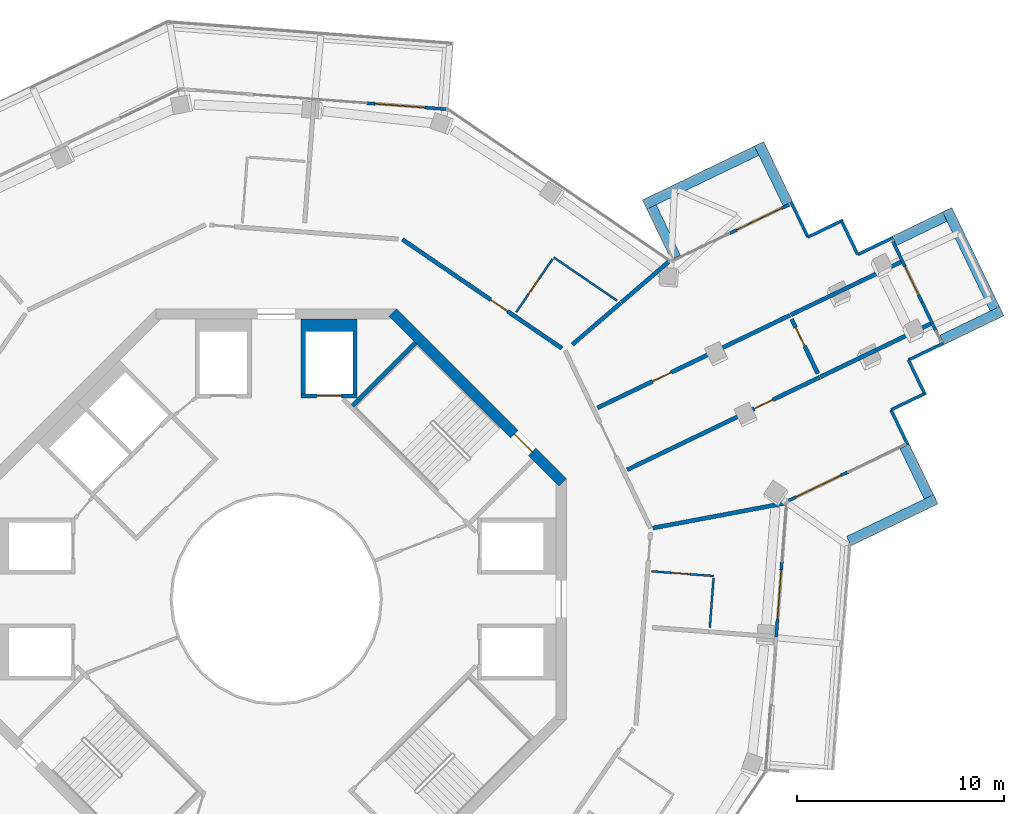
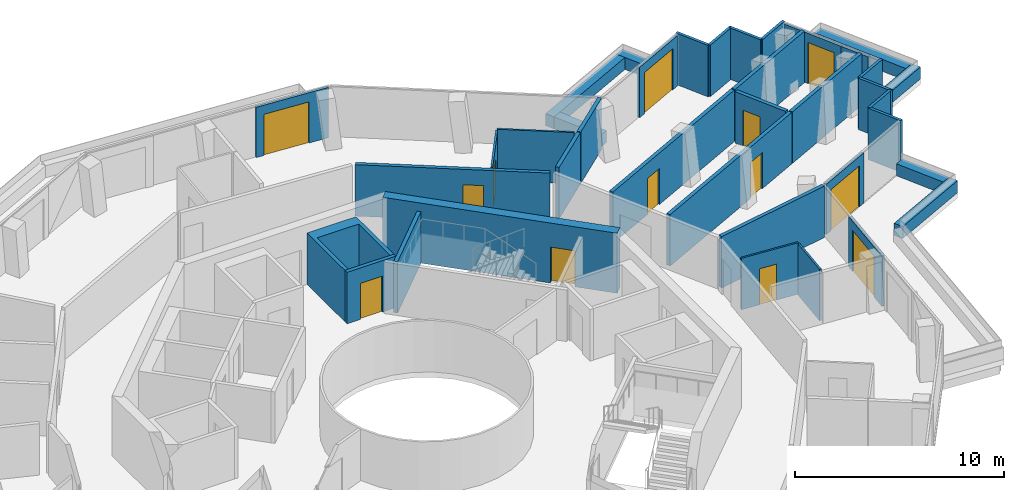
# One storey, part 19 of 23: 39 walls, 13 doors, 13 openings.
"""IFC4 building model written with IfcOpenShell, lengths in metres."""

from ifc_helpers import new_model, si_unit, direction, frame, frame_2d, origin, place, context, subcontext, project, spatial, polyline, rectangle, outline, extrude, material, layer, layer_set, type_object, element, fill, save


model = new_model("IFC4")

# Units and contexts
model_context = context("Model", 3, precision=1e-05, world=origin(), true_north=direction((0.0, 1.0)))
body_context = subcontext(model_context, "Body", "Model", "MODEL_VIEW")
ifc_project = project(units=[si_unit("LENGTHUNIT", "METRE"), si_unit("AREAUNIT", "SQUARE_METRE"), si_unit("VOLUMEUNIT", "CUBIC_METRE"), si_unit("PLANEANGLEUNIT", "RADIAN"), si_unit("MASSUNIT", "GRAM", prefix="KILO")], contexts=[model_context])

# Site, building, storey
site_placement = place(None, origin())
site = spatial("IfcSite", under=ifc_project, at=site_placement, CompositionType="ELEMENT")
building_placement = place(site_placement, origin())
building = spatial("IfcBuilding", under=site, at=building_placement, Name="Verdalira Terraces Hotel", CompositionType="ELEMENT")
storey_placement = place(building_placement, frame((0.0, 0.0, 259.5)))
storey = spatial("IfcBuildingStorey", under=building, at=storey_placement, Name="L64", CompositionType="ELEMENT", Elevation=259.5)

# Walls
ifc_material_1 = material(Name="Concrete C40", Category="concrete")
ifc_layer_1 = layer(ifc_material_1, 0.5)
ifc_layer_set_1 = layer_set([ifc_layer_1], Name="Balcony planter trough with tree")
wall_type_1 = type_object("IfcWallType", Name="Balcony planter trough with tree", PredefinedType="SOLIDWALL", material=ifc_layer_set_1)
wall_1_placement = place(storey_placement, frame((27.622559, 2.796143, 0.0), z_axis=(0.0, 0.0, 1.0), x_axis=(0.901216558, 0.433369029, 0.0)))
element("IfcWall", 1, at=wall_1_placement, inside=storey, type_object=wall_type_1, Name="Balcony planter", PredefinedType="SOLIDWALL", context=body_context, shape_type="SweptSolid", body=[
    extrude(rectangle(XDim=4.6521, YDim=0.5, at=frame_2d((2.326172, 0.0))), origin(), (0.0, 0.0, 1.0), 0.699951),
])
wall_2_placement = place(storey_placement, frame((31.481689, 4.929199, 0.0), z_axis=(0.0, 0.0, 1.0), x_axis=(-0.433374971, 0.901213701, 0.0)))
element("IfcWall", 2, at=wall_2_placement, inside=storey, type_object=wall_type_1, Name="Balcony planter", PredefinedType="SOLIDWALL", context=body_context, shape_type="SweptSolid", body=[
    extrude(rectangle(XDim=2.698975, YDim=0.5, at=frame_2d((1.349609, 0.0))), origin(), (0.0, 0.0, 1.0), 0.699951),
])
wall_3_placement = place(storey_placement, frame((32.11377, 12.500977, 0.0), z_axis=(0.0, 0.0, 1.0), x_axis=(0.901204851, 0.433393374, 0.0)))
element("IfcWall", 3, at=wall_3_placement, inside=storey, type_object=wall_type_1, Name="Balcony planter", PredefinedType="SOLIDWALL", context=body_context, shape_type="SweptSolid", body=[
    extrude(rectangle(XDim=3.199219, YDim=0.5, at=frame_2d((1.599609, 0.0))), origin(), (0.0, 0.0, 1.0), 0.699951),
])
wall_4_placement = place(storey_placement, frame((34.663086, 14.004395, 0.0), z_axis=(0.0, 0.0, 1.0), x_axis=(-0.433340486, 0.901230283, 0.0)))
element("IfcWall", 4, at=wall_4_placement, inside=storey, type_object=wall_type_1, Name="Balcony planter", PredefinedType="SOLIDWALL", context=body_context, shape_type="SweptSolid", body=[
    extrude(rectangle(XDim=5.299805, YDim=0.5, at=frame_2d((2.649902, 0.0))), origin(), (0.0, 0.0, 1.0), 0.699951),
])
wall_5_placement = place(storey_placement, frame((32.249512, 18.447266, 0.0), z_axis=(0.0, 0.0, 1.0), x_axis=(-0.901213701, -0.433374971, 0.0)))
element("IfcWall", 5, at=wall_5_placement, inside=storey, type_object=wall_type_1, Name="Balcony planter", PredefinedType="SOLIDWALL", context=body_context, shape_type="SweptSolid", body=[
    extrude(rectangle(XDim=2.698975, YDim=0.5, at=frame_2d((1.349609, 0.0))), origin(), (0.0, 0.0, 1.0), 0.699951),
])
wall_6_placement = place(storey_placement, frame((24.677734, 19.079346, 0.0), z_axis=(0.0, 0.0, 1.0), x_axis=(-0.433393374, 0.901204851, 0.0)))
element("IfcWall", 6, at=wall_6_placement, inside=storey, type_object=wall_type_1, Name="Balcony planter", PredefinedType="SOLIDWALL", context=body_context, shape_type="SweptSolid", body=[
    extrude(rectangle(XDim=3.199219, YDim=0.5, at=frame_2d((1.599609, 0.0))), origin(), (0.0, 0.0, 1.0), 0.699951),
])
wall_7_placement = place(storey_placement, frame((23.174316, 21.628906, 0.0), z_axis=(0.0, 0.0, 1.0), x_axis=(-0.901221864, -0.433357994, 0.0)))
element("IfcWall", 7, at=wall_7_placement, inside=storey, type_object=wall_type_1, Name="Balcony planter", PredefinedType="SOLIDWALL", context=body_context, shape_type="SweptSolid", body=[
    extrude(rectangle(XDim=6.0, YDim=0.5, at=frame_2d((3.0, 0.0))), origin(), (0.0, 0.0, 1.0), 0.699951),
])
wall_8_placement = place(storey_placement, frame((18.10083, 18.911865, 0.0), z_axis=(0.0, 0.0, 1.0), x_axis=(0.433374971, -0.901213701, 0.0)))
element("IfcWall", 8, at=wall_8_placement, inside=storey, type_object=wall_type_1, Name="Balcony planter", PredefinedType="SOLIDWALL", context=body_context, shape_type="SweptSolid", body=[
    extrude(rectangle(XDim=2.698975, YDim=0.5, at=frame_2d((1.349609, 0.0))), origin(), (0.0, 0.0, 1.0), 0.699951),
])

# Wall, opening, door
ifc_material_2 = material(Name="Moisture-resistant gypsum board partition")
ifc_layer_2 = layer(ifc_material_2, 0.10009765625)
ifc_layer_set_2 = layer_set([ifc_layer_2], Name="Bathroom partition 100 mm")
wall_type_2 = type_object("IfcWallType", Name="Bathroom partition 100 mm", PredefinedType="PARTITIONING", material=ifc_layer_set_2)
wall_9_placement = place(storey_placement, frame((13.325195, 16.400635, 0.0), z_axis=(0.0, 0.0, 1.0), x_axis=(-0.563808375, -0.825905634, 0.0)))
wall_9 = element("IfcWall", 9, at=wall_9_placement, inside=storey, type_object=wall_type_2, Name="Bathroom partition", PredefinedType="PARTITIONING", context=body_context, shape_type="SweptSolid", body=[
    extrude(rectangle(XDim=3.100098, YDim=0.100098, at=frame_2d((1.550049, 0.0))), origin(), (0.0, 0.0, 1.0), 3.0),
])
opening_1_placement = place(wall_9_placement, frame((1.149902, 0.0, 0.0)))
opening_1 = element("IfcOpeningElement", 10, at=opening_1_placement, cuts=wall_9, Name="Opening L64-126", PredefinedType="OPENING", context=body_context, shape_type="SweptSolid", body=[
    extrude(rectangle(XDim=0.899902, YDim=2.100098, at=frame_2d((0.449951, 1.050049))), frame((0.0, 0.060059, 0.0), z_axis=(0.0, -1.0, 0.0), x_axis=(1.0, 0.0, 0.0)), (0.0, 0.0, 1.0), 0.120117),
])
ifc_material_3 = material(Name="Timber door", Category="wood")
door_type_1 = type_object("IfcDoorType", Name="Bathroom door 900 x 2100", OperationType="NOTDEFINED", PredefinedType="DOOR", material=ifc_material_3)
door_1_placement = place(opening_1_placement, origin())
door_1 = element("IfcDoor", 11, at=door_1_placement, inside=storey, type_object=door_type_1, Name="Bathroom door 6411", OperationType="SINGLE_SWING_LEFT", OverallHeight=2.10009765625, OverallWidth=0.89990234375, PredefinedType="DOOR", context=body_context, shape_type="SweptSolid", body=[
    extrude(rectangle(XDim=0.899902, YDim=2.100098, at=frame_2d((0.449951, 1.050049))), frame((0.0, 0.024902, 0.0), z_axis=(0.0, -1.0, 0.0), x_axis=(1.0, 0.0, 0.0)), (0.0, 0.0, 1.0), 0.050049),
])
fill(opening_1, door_1)

# Wall
wall_10_placement = place(storey_placement, frame((13.381592, 16.483398, 0.0), z_axis=(0.0, 0.0, 1.0), x_axis=(0.825895308, -0.563823501, 0.0)))
element("IfcWall", 12, at=wall_10_placement, inside=storey, type_object=wall_type_2, Name="Bathroom partition", PredefinedType="PARTITIONING", context=body_context, shape_type="SweptSolid", body=[
    extrude(rectangle(XDim=3.703857, YDim=0.100098, at=frame_2d((1.852051, 0.0))), origin(), (0.0, 0.0, 1.0), 3.0),
])

# Wall, opening, door
wall_11_placement = place(storey_placement, frame((21.102295, 1.113525, 0.0), z_axis=(0.0, 0.0, 1.0), x_axis=(-0.997156972, 0.075352322, 0.0)))
wall_11 = element("IfcWall", 13, at=wall_11_placement, inside=storey, type_object=wall_type_2, Name="Bathroom partition", PredefinedType="PARTITIONING", context=body_context, shape_type="SweptSolid", body=[
    extrude(rectangle(XDim=3.000244, YDim=0.100098, at=frame_2d((1.5, 0.0))), origin(), (0.0, 0.0, 1.0), 3.0),
])
opening_2_placement = place(wall_11_placement, frame((1.149902, 0.0, 0.0)))
opening_2 = element("IfcOpeningElement", 14, at=opening_2_placement, cuts=wall_11, Name="Opening L64-120", PredefinedType="OPENING", context=body_context, shape_type="SweptSolid", body=[
    extrude(rectangle(XDim=0.899902, YDim=2.100098, at=frame_2d((0.449951, 1.050049))), frame((0.0, 0.060059, 0.0), z_axis=(0.0, -1.0, 0.0), x_axis=(1.0, 0.0, 0.0)), (0.0, 0.0, 1.0), 0.120117),
])
door_2_placement = place(opening_2_placement, origin())
door_2 = element("IfcDoor", 15, at=door_2_placement, inside=storey, type_object=door_type_1, Name="Bathroom door 6409", OperationType="SINGLE_SWING_LEFT", OverallHeight=2.10009765625, OverallWidth=0.89990234375, PredefinedType="DOOR", context=body_context, shape_type="SweptSolid", body=[
    extrude(rectangle(XDim=0.899902, YDim=2.100098, at=frame_2d((0.449951, 1.050049))), frame((0.0, 0.024902, 0.0), z_axis=(0.0, -1.0, 0.0), x_axis=(1.0, 0.0, 0.0)), (0.0, 0.0, 1.0), 0.050049),
])
fill(opening_2, door_2)

# Walls
wall_12_placement = place(storey_placement, frame((21.094482, 1.013916, 0.0), z_axis=(0.0, 0.0, 1.0), x_axis=(-0.075272936, -0.997162968, 0.0)))
element("IfcWall", 16, at=wall_12_placement, inside=storey, type_object=wall_type_2, Name="Bathroom partition", PredefinedType="PARTITIONING", context=body_context, shape_type="SweptSolid", body=[
    extrude(rectangle(XDim=2.400146, YDim=0.100098, at=frame_2d((1.200195, 0.0))), origin(), (0.0, 0.0, 1.0), 3.0),
])
ifc_material_4 = material(Name="Concrete C50", Category="concrete")
ifc_layer_3 = layer(ifc_material_4, 0.199951171875)
ifc_layer_set_3 = layer_set([ifc_layer_3], Name="Core RC wall 200 C50")
wall_type_3 = type_object("IfcWallType", Name="Core RC wall 200 C50", PredefinedType="SOLIDWALL", material=ifc_layer_set_3)
wall_13_placement = place(storey_placement, origin())
element("IfcWall", 17, at=wall_13_placement, inside=storey, type_object=wall_type_3, Name="L64 shaft wall N1", PredefinedType="SOLIDWALL", context=body_context, shape_type="SweptSolid", body=[
    extrude(outline(polyline([(3.899902, 9.899902), (3.699951, 9.899902), (3.699951, 12.899902), (1.399902, 12.899902), (1.399902, 9.899902), (1.199951, 9.899902), (1.199951, 13.5), (3.899902, 13.5), (3.899902, 9.899902)])), origin(), (0.0, 0.0, 1.0), 3.0),
])

# Wall, opening, door
wall_14_placement = place(storey_placement, frame((1.199951, 9.800049, 0.0), z_axis=(0.0, 0.0, 1.0), x_axis=(1.0, 0.0, 0.0)))
wall_14 = element("IfcWall", 18, at=wall_14_placement, inside=storey, type_object=wall_type_3, Name="L64 shaft front wall N1", PredefinedType="SOLIDWALL", context=body_context, shape_type="SweptSolid", body=[
    extrude(rectangle(XDim=2.699951, YDim=0.199951, at=frame_2d((1.350098, 0.0))), origin(), (0.0, 0.0, 1.0), 3.0),
])
opening_3_placement = place(wall_14_placement, frame((0.75, 0.0, 0.0)))
opening_3 = element("IfcOpeningElement", 19, at=opening_3_placement, cuts=wall_14, Name="Opening LD-L64-804", PredefinedType="OPENING", context=body_context, shape_type="SweptSolid", body=[
    extrude(rectangle(XDim=1.199951, YDim=2.100098, at=frame_2d((0.600098, 1.050049))), frame((0.0, 0.109863, 0.0), z_axis=(0.0, -1.0, 0.0), x_axis=(1.0, 0.0, 0.0)), (0.0, 0.0, 1.0), 0.219971),
])
ifc_material_5 = material(Name="Stainless steel", Category="steel")
door_type_2 = type_object("IfcDoorType", Name="Landing door 1200 x 2100", OperationType="NOTDEFINED", PredefinedType="DOOR", material=ifc_material_5)
door_3_placement = place(opening_3_placement, origin())
door_3 = element("IfcDoor", 20, at=door_3_placement, inside=storey, type_object=door_type_2, Name="Lift landing door HR3 L64", OperationType="DOUBLE_DOOR_SLIDING", OverallHeight=2.10009765625, OverallWidth=1.199951171875, PredefinedType="DOOR", context=body_context, shape_type="SweptSolid", body=[
    extrude(rectangle(XDim=1.199951, YDim=2.100098, at=frame_2d((0.600098, 1.050049))), frame((0.0, 0.024902, 0.0), z_axis=(0.0, -1.0, 0.0), x_axis=(1.0, 0.0, 0.0)), (0.0, 0.0, 1.0), 0.050049),
])
fill(opening_3, door_3)

# Wall
wall_15_placement = place(storey_placement, frame((3.677002, 9.33374, 0.0), z_axis=(0.0, 0.0, 1.0), x_axis=(0.707078393, 0.707135168, 0.0)))
element("IfcWall", 21, at=wall_15_placement, inside=storey, type_object=wall_type_3, Name="L64 stair ST1 end wall 2", PredefinedType="SOLIDWALL", context=body_context, shape_type="SweptSolid", body=[
    extrude(rectangle(XDim=4.300049, YDim=0.199951, at=frame_2d((2.149902, 0.0))), origin(), (0.0, 0.0, 1.0), 3.0),
])

# Wall, opening, door
ifc_material_6 = material(Name="Concrete C50", Category="concrete")
ifc_layer_4 = layer(ifc_material_6, 0.5)
ifc_layer_set_4 = layer_set([ifc_layer_4], Name="Core wall 500 C50")
wall_type_4 = type_object("IfcWallType", Name="Core wall 500 C50", PredefinedType="SHEAR", material=ifc_layer_set_4)
wall_16_placement = place(storey_placement, frame((13.823242, 5.622314, 0.0), z_axis=(0.0, 0.0, 1.0), x_axis=(-0.707106781, 0.707106781, 0.0)))
wall_16 = element("IfcWall", 22, at=wall_16_placement, inside=storey, type_object=wall_type_4, Name="Core wall CW-L64-2", PredefinedType="SHEAR", context=body_context, shape_type="SweptSolid", body=[
    extrude(rectangle(XDim=11.5979, YDim=0.5, at=frame_2d((5.798828, 0.0))), origin(), (0.0, 0.0, 1.0), 3.5),
])
opening_4_placement = place(wall_16_placement, frame((2.099121, 0.0, 0.0)))
opening_4 = element("IfcOpeningElement", 23, at=opening_4_placement, cuts=wall_16, Name="Opening L64-816", PredefinedType="OPENING", context=body_context, shape_type="SweptSolid", body=[
    extrude(rectangle(XDim=1.199951, YDim=2.100098, at=frame_2d((0.600098, 1.050049))), frame((0.0, 0.26001, 0.0), z_axis=(0.0, -1.0, 0.0), x_axis=(1.0, 0.0, 0.0)), (0.0, 0.0, 1.0), 0.52002),
])
ifc_material_7 = material(Name="Steel fire door", Category="steel")
door_type_3 = type_object("IfcDoorType", Name="Stair door 1200 x 2100", OperationType="NOTDEFINED", PredefinedType="DOOR", material=ifc_material_7)
door_4_placement = place(opening_4_placement, origin())
door_4 = element("IfcDoor", 24, at=door_4_placement, inside=storey, type_object=door_type_3, Name="Stair exit door ST1 L64", OperationType="SINGLE_SWING_LEFT", OverallHeight=2.10009765625, OverallWidth=1.199951171875, PredefinedType="DOOR", context=body_context, shape_type="SweptSolid", body=[
    extrude(rectangle(XDim=1.199951, YDim=2.100098, at=frame_2d((0.600098, 1.050049))), frame((0.0, 0.024902, 0.0), z_axis=(0.0, -1.0, 0.0), x_axis=(1.0, 0.0, 0.0)), (0.0, 0.0, 1.0), 0.050049),
])
fill(opening_4, door_4)

# Walls
ifc_material_8 = material(Name="Fire-rated gypsum board wall")
ifc_layer_5 = layer(ifc_material_8, 0.199951171875)
ifc_layer_set_5 = layer_set([ifc_layer_5], Name="Demising wall 200 mm")
wall_type_5 = type_object("IfcWallType", Name="Demising wall 200 mm", PredefinedType="SOLIDWALL", material=ifc_layer_set_5)
wall_17_placement = place(storey_placement, frame((14.281494, 12.275391, 0.0), z_axis=(0.0, 0.0, 1.0), x_axis=(0.758375939, 0.65181741, 0.0)))
element("IfcWall", 25, at=wall_17_placement, inside=storey, type_object=wall_type_5, Name="Demising wall", PredefinedType="SOLIDWALL", context=body_context, shape_type="SweptSolid", body=[
    extrude(rectangle(XDim=3.074707, YDim=0.199951, at=frame_2d((1.537354, 0.0))), origin(), (0.0, 0.0, 1.0), 3.0),
])
wall_18_placement = place(storey_placement, frame((16.647949, 14.30957, 0.0), z_axis=(0.0, 0.0, 1.0), x_axis=(0.758397568, 0.651792244, 0.0)))
element("IfcWall", 26, at=wall_18_placement, inside=storey, type_object=wall_type_5, Name="Demising wall", PredefinedType="SOLIDWALL", context=body_context, shape_type="SweptSolid", body=[
    extrude(rectangle(XDim=3.011475, YDim=0.199951, at=frame_2d((1.505859, 0.0))), origin(), (0.0, 0.0, 1.0), 3.0),
])

# Wall, opening, door
wall_19_placement = place(storey_placement, frame((15.491699, 9.223389, 0.0), z_axis=(0.0, 0.0, 1.0), x_axis=(0.901221811, 0.433358105, 0.0)))
wall_19 = element("IfcWall", 27, at=wall_19_placement, inside=storey, type_object=wall_type_5, Name="Demising wall", PredefinedType="SOLIDWALL", context=body_context, shape_type="SweptSolid", body=[
    extrude(rectangle(XDim=10.301758, YDim=0.199951, at=frame_2d((5.150879, 0.0))), origin(), (0.0, 0.0, 1.0), 3.0),
])
opening_5_placement = place(wall_19_placement, frame((2.949951, 0.0, 0.0)))
opening_5 = element("IfcOpeningElement", 28, at=opening_5_placement, cuts=wall_19, Name="Opening L64-123", PredefinedType="OPENING", context=body_context, shape_type="SweptSolid", body=[
    extrude(rectangle(XDim=1.0, YDim=2.100098, at=frame_2d((0.5, 1.050049))), frame((0.0, 0.109863, 0.0), z_axis=(0.0, -1.0, 0.0), x_axis=(1.0, 0.0, 0.0)), (0.0, 0.0, 1.0), 0.219971),
])
ifc_material_9 = material(Name="Timber fire door", Category="wood")
door_type_4 = type_object("IfcDoorType", Name="Public room door 1000 x 2100", OperationType="NOTDEFINED", PredefinedType="DOOR", material=ifc_material_9)
door_5_placement = place(opening_5_placement, origin())
door_5 = element("IfcDoor", 29, at=door_5_placement, inside=storey, type_object=door_type_4, Name="Public room door 6410", OperationType="SINGLE_SWING_LEFT", OverallHeight=2.10009765625, OverallWidth=1.0, PredefinedType="DOOR", context=body_context, shape_type="SweptSolid", body=[
    extrude(rectangle(XDim=1.0, YDim=2.100098, at=frame_2d((0.5, 1.050049))), frame((0.0, 0.024902, 0.0), z_axis=(0.0, -1.0, 0.0), x_axis=(1.0, 0.0, 0.0)), (0.0, 0.0, 1.0), 0.050049),
])
fill(opening_5, door_5)

# Wall
wall_20_placement = place(storey_placement, frame((24.531494, 4.626465, 0.0), z_axis=(0.0, 0.0, 1.0), x_axis=(-0.982674871, -0.185337796, 0.0)))
element("IfcWall", 30, at=wall_20_placement, inside=storey, type_object=wall_type_5, Name="Demising wall", PredefinedType="SOLIDWALL", context=body_context, shape_type="SweptSolid", body=[
    extrude(rectangle(XDim=6.47583, YDim=0.199951, at=frame_2d((3.237793, 0.0))), origin(), (0.0, 0.0, 1.0), 3.0),
])

# Wall, opening, door
wall_21_placement = place(storey_placement, frame((26.212402, 10.700195, 0.0), z_axis=(0.0, 0.0, 1.0), x_axis=(-0.901235517, -0.433329602, 0.0)))
wall_21 = element("IfcWall", 31, at=wall_21_placement, inside=storey, type_object=wall_type_5, Name="Demising wall", PredefinedType="SOLIDWALL", context=body_context, shape_type="SweptSolid", body=[
    extrude(rectangle(XDim=10.302002, YDim=0.199951, at=frame_2d((5.150879, 0.0))), origin(), (0.0, 0.0, 1.0), 3.0),
])
opening_6_placement = place(wall_21_placement, frame((2.5, 0.0, 0.0)))
opening_6 = element("IfcOpeningElement", 32, at=opening_6_placement, cuts=wall_21, Name="Opening L64-122", PredefinedType="OPENING", context=body_context, shape_type="SweptSolid", body=[
    extrude(rectangle(XDim=1.0, YDim=2.100098, at=frame_2d((0.5, 1.050049))), frame((0.0, 0.109863, 0.0), z_axis=(0.0, -1.0, 0.0), x_axis=(1.0, 0.0, 0.0)), (0.0, 0.0, 1.0), 0.219971),
])
door_6_placement = place(opening_6_placement, origin())
door_6 = element("IfcDoor", 33, at=door_6_placement, inside=storey, type_object=door_type_4, Name="Public room door 6410", OperationType="SINGLE_SWING_LEFT", OverallHeight=2.10009765625, OverallWidth=1.0, PredefinedType="DOOR", context=body_context, shape_type="SweptSolid", body=[
    extrude(rectangle(XDim=1.0, YDim=2.100098, at=frame_2d((0.5, 1.050049))), frame((0.0, 0.024902, 0.0), z_axis=(0.0, -1.0, 0.0), x_axis=(1.0, 0.0, 0.0)), (0.0, 0.0, 1.0), 0.050049),
])
fill(opening_6, door_6)

wall_22_placement = place(storey_placement, frame((24.86084, 13.506592, 0.0), z_axis=(0.0, 0.0, 1.0), x_axis=(0.433357232, -0.901222231, 0.0)))
wall_22 = element("IfcWall", 34, at=wall_22_placement, inside=storey, type_object=wall_type_5, Name="Demising wall", PredefinedType="SOLIDWALL", context=body_context, shape_type="SweptSolid", body=[
    extrude(rectangle(XDim=2.914795, YDim=0.199951, at=frame_2d((1.45752, 0.0))), origin(), (0.0, 0.0, 1.0), 3.0),
])
opening_7_placement = place(wall_22_placement, frame((0.449951, 0.0, 0.0)))
opening_7 = element("IfcOpeningElement", 35, at=opening_7_placement, cuts=wall_22, Name="Opening L64-124", PredefinedType="OPENING", context=body_context, shape_type="SweptSolid", body=[
    extrude(rectangle(XDim=1.0, YDim=2.100098, at=frame_2d((0.5, 1.050049))), frame((0.0, 0.109863, 0.0), z_axis=(0.0, -1.0, 0.0), x_axis=(1.0, 0.0, 0.0)), (0.0, 0.0, 1.0), 0.219971),
])
door_7_placement = place(opening_7_placement, origin())
door_7 = element("IfcDoor", 36, at=door_7_placement, inside=storey, type_object=door_type_4, Name="Public room door 6410", OperationType="SINGLE_SWING_LEFT", OverallHeight=2.10009765625, OverallWidth=1.0, PredefinedType="DOOR", context=body_context, shape_type="SweptSolid", body=[
    extrude(rectangle(XDim=1.0, YDim=2.100098, at=frame_2d((0.5, 1.050049))), frame((0.0, 0.024902, 0.0), z_axis=(0.0, -1.0, 0.0), x_axis=(1.0, 0.0, 0.0)), (0.0, 0.0, 1.0), 0.050049),
])
fill(opening_7, door_7)

# Walls
wall_23_placement = place(storey_placement, frame((30.136475, 16.265137, 0.0), z_axis=(0.0, 0.0, 1.0), x_axis=(-0.901228504, -0.433344187, 0.0)))
element("IfcWall", 37, at=wall_23_placement, inside=storey, type_object=wall_type_5, Name="Demising wall", PredefinedType="SOLIDWALL", context=body_context, shape_type="SweptSolid", body=[
    extrude(rectangle(XDim=5.9021, YDim=0.199951, at=frame_2d((2.951172, 0.0))), origin(), (0.0, 0.0, 1.0), 3.0),
])
wall_24_placement = place(storey_placement, frame((26.253906, 10.720215, 0.0), z_axis=(0.0, 0.0, 1.0), x_axis=(0.901220735, 0.433360343, 0.0)))
element("IfcWall", 38, at=wall_24_placement, inside=storey, type_object=wall_type_5, Name="Demising wall", PredefinedType="SOLIDWALL", context=body_context, shape_type="SweptSolid", body=[
    extrude(rectangle(XDim=5.901855, YDim=0.199951, at=frame_2d((2.950928, 0.0))), origin(), (0.0, 0.0, 1.0), 3.0),
])

# Wall, opening, door
ifc_material_10 = material(Name="Fire-rated gypsum board wall")
ifc_layer_6 = layer(ifc_material_10, 0.199951171875)
ifc_layer_set_6 = layer_set([ifc_layer_6], Name="Guest corridor wall 200 mm")
wall_type_6 = type_object("IfcWallType", Name="Guest corridor wall 200 mm", PredefinedType="SOLIDWALL", material=ifc_layer_set_6)
wall_25_placement = place(storey_placement, frame((6.083008, 17.349121, 0.0), z_axis=(0.0, 0.0, 1.0), x_axis=(0.825903966, -0.563810818, 0.0)))
wall_25 = element("IfcWall", 39, at=wall_25_placement, inside=storey, type_object=wall_type_6, Name="Guest corridor wall", PredefinedType="SOLIDWALL", context=body_context, shape_type="SweptSolid", body=[
    extrude(rectangle(XDim=9.315918, YDim=0.199951, at=frame_2d((4.657959, 0.0))), origin(), (0.0, 0.0, 1.0), 3.0),
])
opening_8_placement = place(wall_25_placement, frame((5.149902, 0.0, 0.0)))
opening_8 = element("IfcOpeningElement", 40, at=opening_8_placement, cuts=wall_25, Name="Opening L64-125", PredefinedType="OPENING", context=body_context, shape_type="SweptSolid", body=[
    extrude(rectangle(XDim=1.0, YDim=2.100098, at=frame_2d((0.5, 1.050049))), frame((0.0, 0.109863, 0.0), z_axis=(0.0, -1.0, 0.0), x_axis=(1.0, 0.0, 0.0)), (0.0, 0.0, 1.0), 0.219971),
])
ifc_material_11 = material(Name="Timber fire door", Category="wood")
door_type_5 = type_object("IfcDoorType", Name="Guest entry door 1000 x 2100", OperationType="NOTDEFINED", PredefinedType="DOOR", material=ifc_material_11)
door_8_placement = place(opening_8_placement, origin())
door_8 = element("IfcDoor", 41, at=door_8_placement, inside=storey, type_object=door_type_5, Name="Guest entry door 6411", OperationType="SINGLE_SWING_LEFT", OverallHeight=2.10009765625, OverallWidth=1.0, PredefinedType="DOOR", context=body_context, shape_type="SweptSolid", body=[
    extrude(rectangle(XDim=1.0, YDim=2.100098, at=frame_2d((0.5, 1.050049))), frame((0.0, 0.024902, 0.0), z_axis=(0.0, -1.0, 0.0), x_axis=(1.0, 0.0, 0.0)), (0.0, 0.0, 1.0), 0.050049),
])
fill(opening_8, door_8)

# Walls
ifc_material_12 = material(Name="Terracotta cladding", Category="masonry")
ifc_layer_7 = layer(ifc_material_12, 0.14990234375)
ifc_layer_set_7 = layer_set([ifc_layer_7], Name="Terracotta clad wall 150")
wall_type_7 = type_object("IfcWallType", Name="Terracotta clad wall 150", PredefinedType="SOLIDWALL", material=ifc_layer_set_7)
wall_26_placement = place(storey_placement, frame((30.469238, 7.438477, 0.0), z_axis=(0.0, 0.0, 1.0), x_axis=(-0.433357488, 0.901222108, 0.0)))
element("IfcWall", 42, at=wall_26_placement, inside=storey, type_object=wall_type_7, Name="Terracotta cladding wall", PredefinedType="SOLIDWALL", context=body_context, shape_type="SweptSolid", body=[
    extrude(rectangle(XDim=1.875, YDim=0.149902, at=frame_2d((0.9375, 0.0))), origin(), (0.0, 0.0, 1.0), 3.0),
])
wall_27_placement = place(storey_placement, frame((29.656738, 9.128174, 0.0), z_axis=(0.0, 0.0, 1.0), x_axis=(0.901237146, 0.433326212, 0.0)))
element("IfcWall", 43, at=wall_27_placement, inside=storey, type_object=wall_type_7, Name="Terracotta cladding wall", PredefinedType="SOLIDWALL", context=body_context, shape_type="SweptSolid", body=[
    extrude(rectangle(XDim=1.800049, YDim=0.149902, at=frame_2d((0.899902, 0.0))), origin(), (0.0, 0.0, 1.0), 3.0),
])
for number, where, z_axis, x_axis, name in (
    (44, (31.311523, 9.840576, 0.0), (0.0, 0.0, 1.0), (-0.433306637, 0.901246558, 0.0), "Terracotta cladding wall"),
    (45, (30.499023, 11.530518, 0.0), (0.0, 0.0, 1.0), (0.901222108, 0.433357488, 0.0), "Terracotta cladding wall"),
    (46, (29.740234, 17.434814, 0.0), (0.0, 0.0, 1.0), (-0.901222108, -0.433357488, 0.0), "Terracotta cladding wall"),
):
    element("IfcWall", number, at=place(storey_placement, frame(where, z_axis=z_axis, x_axis=x_axis)), inside=storey, type_object=wall_type_7, Name=name, PredefinedType="SOLIDWALL", context=body_context, shape_type="SweptSolid", body=[
        extrude(rectangle(XDim=1.875, YDim=0.149902, at=frame_2d((0.9375, 0.0))), origin(), (0.0, 0.0, 1.0), 3.0),
    ])
wall_28_placement = place(storey_placement, frame((28.050537, 16.622314, 0.0), z_axis=(0.0, 0.0, 1.0), x_axis=(-0.433326212, 0.901237146, 0.0)))
element("IfcWall", 47, at=wall_28_placement, inside=storey, type_object=wall_type_7, Name="Terracotta cladding wall", PredefinedType="SOLIDWALL", context=body_context, shape_type="SweptSolid", body=[
    extrude(rectangle(XDim=1.800049, YDim=0.149902, at=frame_2d((0.899902, 0.0))), origin(), (0.0, 0.0, 1.0), 3.0),
])
for number, where, z_axis, x_axis, name in (
    (48, (27.338135, 18.2771, 0.0), (0.0, 0.0, 1.0), (-0.901246558, -0.433306637, 0.0), "Terracotta cladding wall"),
    (49, (25.648193, 17.4646, 0.0), (0.0, 0.0, 1.0), (-0.433357488, 0.901222108, 0.0), "Terracotta cladding wall"),
):
    element("IfcWall", number, at=place(storey_placement, frame(where, z_axis=z_axis, x_axis=x_axis)), inside=storey, type_object=wall_type_7, Name=name, PredefinedType="SOLIDWALL", context=body_context, shape_type="SweptSolid", body=[
        extrude(rectangle(XDim=1.875, YDim=0.149902, at=frame_2d((0.9375, 0.0))), origin(), (0.0, 0.0, 1.0), 3.0),
    ])
ifc_material_13 = material(Name="Terracotta cladding", Category="masonry")
ifc_layer_8 = layer(ifc_material_13, 0.14990234375)
ifc_layer_set_8 = layer_set([ifc_layer_8], Name="Terracotta column pier 150")
wall_type_8 = type_object("IfcWallType", Name="Terracotta column pier 150", PredefinedType="SOLIDWALL", material=ifc_layer_set_8)
wall_29_placement = place(storey_placement, frame((31.833008, 12.909668, 0.0), z_axis=(0.0, 0.0, 1.0), x_axis=(-0.433352725, 0.901224398, 0.0)))
element("IfcWall", 50, at=wall_29_placement, inside=storey, type_object=wall_type_8, Name="Terracotta column pier", PredefinedType="SOLIDWALL", context=body_context, shape_type="SweptSolid", body=[
    extrude(rectangle(XDim=1.570068, YDim=0.149902, at=frame_2d((0.785156, 0.0))), origin(), (0.0, 0.0, 1.0), 2.935059),
])

# Wall, opening, door
ifc_material_14 = material(Name="Terracotta cladding", Category="masonry")
ifc_layer_9 = layer(ifc_material_14, 0.14990234375)
ifc_layer_set_9 = layer_set([ifc_layer_9], Name="Terracotta door pier 150")
wall_type_9 = type_object("IfcWallType", Name="Terracotta door pier 150", PredefinedType="SOLIDWALL", material=ifc_layer_set_9)
wall_30_placement = place(storey_placement, frame((24.114502, -1.821533, 0.0), z_axis=(0.0, 0.0, 1.0), x_axis=(0.075393578, 0.997153854, 0.0)))
wall_30 = element("IfcWall", 51, at=wall_30_placement, inside=storey, type_object=wall_type_9, Name="Terracotta door pier", PredefinedType="SOLIDWALL", context=body_context, shape_type="SweptSolid", body=[
    extrude(rectangle(XDim=3.639648, YDim=0.149902, at=frame_2d((1.819824, 0.0))), origin(), (0.0, 0.0, 1.0), 2.935059),
])
opening_9_placement = place(wall_30_placement, frame((0.839844, 0.0, 0.0)))
opening_9 = element("IfcOpeningElement", 52, at=opening_9_placement, cuts=wall_30, Name="Opening L64-B08", PredefinedType="OPENING", context=body_context, shape_type="SweptSolid", body=[
    extrude(rectangle(XDim=2.399902, YDim=2.399902, at=frame_2d((1.199951, 1.199951))), frame((0.0, 0.084961, 0.0), z_axis=(0.0, -1.0, 0.0), x_axis=(1.0, 0.0, 0.0)), (0.0, 0.0, 1.0), 0.169922),
])
ifc_material_15 = material(Name="Clear glass", Category="glass")
door_type_6 = type_object("IfcDoorType", Name="Balcony sliding door 2400x2400", OperationType="NOTDEFINED", PredefinedType="DOOR", material=ifc_material_15)
door_9_placement = place(opening_9_placement, origin())
door_9 = element("IfcDoor", 53, at=door_9_placement, inside=storey, type_object=door_type_6, Name="Balcony sliding door", OperationType="SLIDING_TO_LEFT", OverallHeight=2.39990234375, OverallWidth=2.39990234375, PredefinedType="DOOR", context=body_context, shape_type="SweptSolid", body=[
    extrude(rectangle(XDim=2.399902, YDim=2.399902, at=frame_2d((1.199951, 1.199951))), frame((0.0, 0.024902, 0.0), z_axis=(0.0, -1.0, 0.0), x_axis=(1.0, 0.0, 0.0)), (0.0, 0.0, 1.0), 0.050049),
])
fill(opening_9, door_9)

wall_31_placement = place(storey_placement, frame((24.709717, 4.752197, 0.0), z_axis=(0.0, 0.0, 1.0), x_axis=(0.901218043, 0.43336594, 0.0)))
wall_31 = element("IfcWall", 54, at=wall_31_placement, inside=storey, type_object=wall_type_9, Name="Terracotta door pier", PredefinedType="SOLIDWALL", context=body_context, shape_type="SweptSolid", body=[
    extrude(rectangle(XDim=3.199951, YDim=0.149902, at=frame_2d((1.600098, 0.0))), origin(), (0.0, 0.0, 1.0), 2.935059),
])
opening_10_placement = place(wall_31_placement, frame((0.399902, 0.0, 0.0)))
opening_10 = element("IfcOpeningElement", 55, at=opening_10_placement, cuts=wall_31, Name="Opening L64-B09", PredefinedType="OPENING", context=body_context, shape_type="SweptSolid", body=[
    extrude(rectangle(XDim=2.399902, YDim=2.399902, at=frame_2d((1.199951, 1.199951))), frame((0.0, 0.084961, 0.0), z_axis=(0.0, -1.0, 0.0), x_axis=(1.0, 0.0, 0.0)), (0.0, 0.0, 1.0), 0.169922),
])
door_10_placement = place(opening_10_placement, origin())
door_10 = element("IfcDoor", 56, at=door_10_placement, inside=storey, type_object=door_type_6, Name="Balcony sliding door", OperationType="SLIDING_TO_LEFT", OverallHeight=2.39990234375, OverallWidth=2.39990234375, PredefinedType="DOOR", context=body_context, shape_type="SweptSolid", body=[
    extrude(rectangle(XDim=2.399902, YDim=2.399902, at=frame_2d((1.199951, 1.199951))), frame((0.0, 0.024902, 0.0), z_axis=(0.0, -1.0, 0.0), x_axis=(1.0, 0.0, 0.0)), (0.0, 0.0, 1.0), 0.050049),
])
fill(opening_10, door_10)

wall_32_placement = place(storey_placement, frame((31.152588, 14.324707, 0.0), z_axis=(0.0, 0.0, 1.0), x_axis=(-0.433320171, 0.901240051, 0.0)))
wall_32 = element("IfcWall", 57, at=wall_32_placement, inside=storey, type_object=wall_type_9, Name="Terracotta door pier", PredefinedType="SOLIDWALL", context=body_context, shape_type="SweptSolid", body=[
    extrude(rectangle(XDim=3.26001, YDim=0.149902, at=frame_2d((1.629883, 0.0))), origin(), (0.0, 0.0, 1.0), 2.935059),
])
opening_11_placement = place(wall_32_placement, frame((0.399902, 0.0, 0.0)))
opening_11 = element("IfcOpeningElement", 58, at=opening_11_placement, cuts=wall_32, Name="Opening L64-B10", PredefinedType="OPENING", context=body_context, shape_type="SweptSolid", body=[
    extrude(rectangle(XDim=1.5, YDim=2.399902, at=frame_2d((0.75, 1.199951))), frame((0.0, 0.084961, 0.0), z_axis=(0.0, -1.0, 0.0), x_axis=(1.0, 0.0, 0.0)), (0.0, 0.0, 1.0), 0.169922),
])
ifc_material_16 = material(Name="Clear glass", Category="glass")
door_type_7 = type_object("IfcDoorType", Name="Balcony sliding door 1500x2400", OperationType="NOTDEFINED", PredefinedType="DOOR", material=ifc_material_16)
door_11_placement = place(opening_11_placement, origin())
door_11 = element("IfcDoor", 59, at=door_11_placement, inside=storey, type_object=door_type_7, Name="Balcony sliding door", OperationType="SLIDING_TO_RIGHT", OverallHeight=2.39990234375, OverallWidth=1.5, PredefinedType="DOOR", context=body_context, shape_type="SweptSolid", body=[
    extrude(rectangle(XDim=1.5, YDim=2.399902, at=frame_2d((0.75, 1.199951))), frame((0.0, 0.024902, 0.0), z_axis=(0.0, -1.0, 0.0), x_axis=(1.0, 0.0, 0.0)), (0.0, 0.0, 1.0), 0.050049),
])
fill(opening_11, door_11)

wall_33_placement = place(storey_placement, frame((24.737549, 19.023926, 0.0), z_axis=(0.0, 0.0, 1.0), x_axis=(-0.901218043, -0.43336594, 0.0)))
wall_33 = element("IfcWall", 60, at=wall_33_placement, inside=storey, type_object=wall_type_9, Name="Terracotta door pier", PredefinedType="SOLIDWALL", context=body_context, shape_type="SweptSolid", body=[
    extrude(rectangle(XDim=3.199951, YDim=0.149902, at=frame_2d((1.600098, 0.0))), origin(), (0.0, 0.0, 1.0), 2.935059),
])
opening_12_placement = place(wall_33_placement, frame((0.399902, 0.0, 0.0)))
opening_12 = element("IfcOpeningElement", 61, at=opening_12_placement, cuts=wall_33, Name="Opening L64-B11", PredefinedType="OPENING", context=body_context, shape_type="SweptSolid", body=[
    extrude(rectangle(XDim=2.399902, YDim=2.399902, at=frame_2d((1.199951, 1.199951))), frame((0.0, 0.084961, 0.0), z_axis=(0.0, -1.0, 0.0), x_axis=(1.0, 0.0, 0.0)), (0.0, 0.0, 1.0), 0.169922),
])
door_12_placement = place(opening_12_placement, origin())
door_12 = element("IfcDoor", 62, at=door_12_placement, inside=storey, type_object=door_type_6, Name="Balcony sliding door", OperationType="SLIDING_TO_LEFT", OverallHeight=2.39990234375, OverallWidth=2.39990234375, PredefinedType="DOOR", context=body_context, shape_type="SweptSolid", body=[
    extrude(rectangle(XDim=2.399902, YDim=2.399902, at=frame_2d((1.199951, 1.199951))), frame((0.0, 0.024902, 0.0), z_axis=(0.0, -1.0, 0.0), x_axis=(1.0, 0.0, 0.0)), (0.0, 0.0, 1.0), 0.050049),
])
fill(opening_12, door_12)

wall_34_placement = place(storey_placement, frame((8.203369, 23.632568, 0.0), z_axis=(0.0, 0.0, 1.0), x_axis=(-0.99716043, 0.075306552, 0.0)))
wall_34 = element("IfcWall", 63, at=wall_34_placement, inside=storey, type_object=wall_type_9, Name="Terracotta door pier", PredefinedType="SOLIDWALL", context=body_context, shape_type="SweptSolid", body=[
    extrude(rectangle(XDim=3.841797, YDim=0.149902, at=frame_2d((1.920898, 0.0))), origin(), (0.0, 0.0, 1.0), 2.935059),
])
opening_13_placement = place(wall_34_placement, frame((1.041748, 0.0, 0.0)))
opening_13 = element("IfcOpeningElement", 64, at=opening_13_placement, cuts=wall_34, Name="Opening L64-B12", PredefinedType="OPENING", context=body_context, shape_type="SweptSolid", body=[
    extrude(rectangle(XDim=2.399902, YDim=2.399902, at=frame_2d((1.199951, 1.199951))), frame((0.0, 0.084961, 0.0), z_axis=(0.0, -1.0, 0.0), x_axis=(1.0, 0.0, 0.0)), (0.0, 0.0, 1.0), 0.169922),
])
door_13_placement = place(opening_13_placement, origin())
door_13 = element("IfcDoor", 65, at=door_13_placement, inside=storey, type_object=door_type_6, Name="Balcony sliding door", OperationType="SLIDING_TO_LEFT", OverallHeight=2.39990234375, OverallWidth=2.39990234375, PredefinedType="DOOR", context=body_context, shape_type="SweptSolid", body=[
    extrude(rectangle(XDim=2.399902, YDim=2.399902, at=frame_2d((1.199951, 1.199951))), frame((0.0, 0.024902, 0.0), z_axis=(0.0, -1.0, 0.0), x_axis=(1.0, 0.0, 0.0)), (0.0, 0.0, 1.0), 0.050049),
])
fill(opening_13, door_13)

save(model, "model.ifc")
